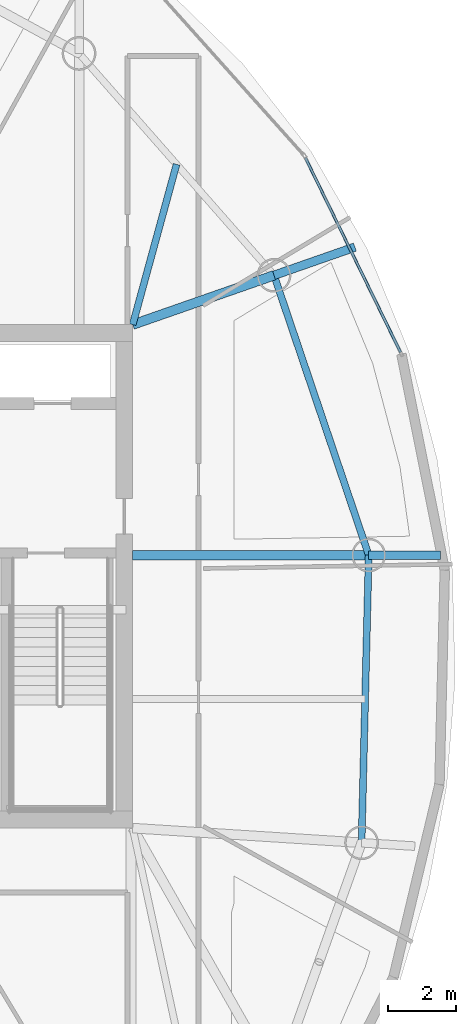
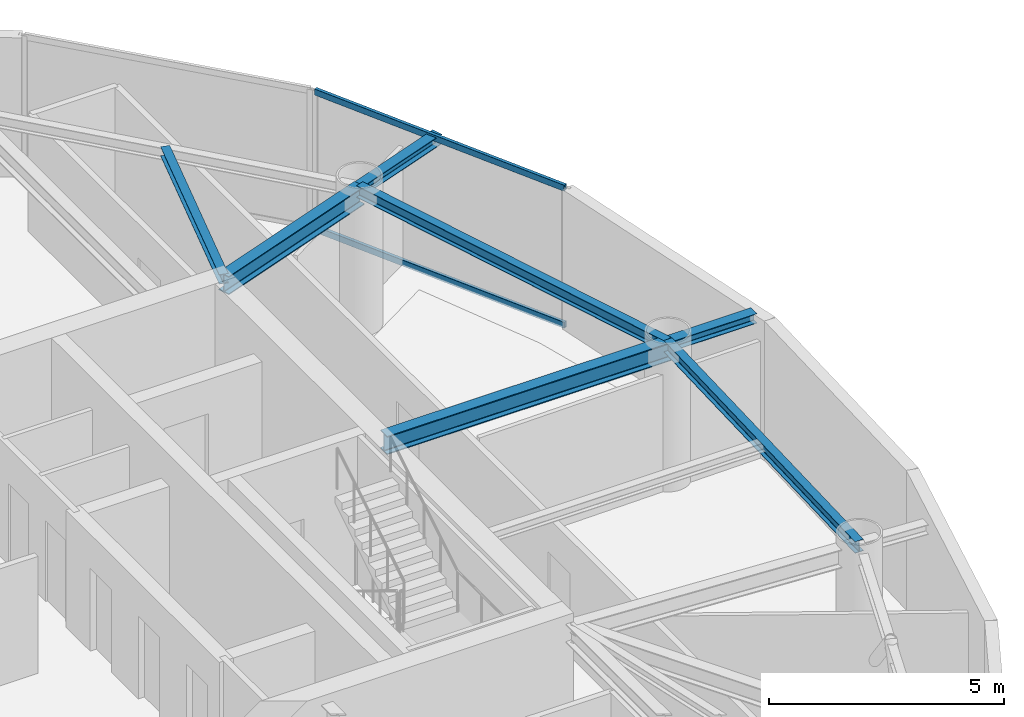
# One storey, part 9 of 21: 7 beams, 2 members, 1 element without a shape of its own.
"""IFC4 building model written with IfcOpenShell, lengths in metres."""

from ifc_helpers import new_model, si_unit, direction, frame, origin, origin_2d, place, context, subcontext, project, spatial, hollow_rectangle, i_section, extrude, material, layer, layer_set, material_profile, profile_set, type_object, element, aggregate, save


model = new_model("IFC4")

# Units and contexts
model_context = context("Model", 3, precision=1e-05, world=origin(), true_north=direction((0.0, 1.0)))
body_context = subcontext(model_context, "Body", "Model", "MODEL_VIEW")
ifc_project = project(units=[si_unit("LENGTHUNIT", "METRE"), si_unit("AREAUNIT", "SQUARE_METRE"), si_unit("VOLUMEUNIT", "CUBIC_METRE"), si_unit("PLANEANGLEUNIT", "RADIAN"), si_unit("MASSUNIT", "GRAM", prefix="KILO")], contexts=[model_context])

# Site, building, storey
site_placement = place(None, origin())
site = spatial("IfcSite", under=ifc_project, at=site_placement, CompositionType="ELEMENT")
building_placement = place(site_placement, origin())
building = spatial("IfcBuilding", under=site, at=building_placement, Name="Bramvorn Convention Spire", CompositionType="ELEMENT")
storey_placement = place(building_placement, frame((0.0, 0.0, 257.449951171875)))
storey = spatial("IfcBuildingStorey", under=building, at=storey_placement, Name="L65", CompositionType="ELEMENT", Elevation=257.449951171875)

# Beams
ifc_material_1 = material(Name="Steel CSA G40.21 Grade 350 (350W)", Category="steel")
ifc_material_profile_1 = material_profile(ifc_material_1, i_section(OverallWidth=0.201904296875, OverallDepth=0.2470703125, WebThickness=0.00732421875, FlangeThickness=0.010986328125, FilletRadius=0.011962890625, at=origin_2d()))
ifc_profile_set_1 = profile_set([ifc_material_profile_1], Name="Steel CSA G40.21 Grade 350 (350W) - W250X49")
beam_type_1 = type_object("IfcBeamType", Name="BM-W250X49", PredefinedType="JOIST", material=ifc_profile_set_1)
beam_1_placement = place(storey_placement, frame((49.25, 33.449951171875, 3.50146484375), z_axis=(0.26386506219, 0.96455960363, 0.0), x_axis=(-0.96455960363, 0.26386506219, 0.0)))
element("IfcBeam", 1, at=beam_1_placement, inside=storey, type_object=beam_type_1, Name="L65 composite floor joist 05", PredefinedType="JOIST", context=body_context, shape_type="SweptSolid", body=[
    extrude(i_section(OverallWidth=0.201904296875, OverallDepth=0.2470703125, WebThickness=0.00732421875, FlangeThickness=0.010986328125, FilletRadius=0.011962890625, at=origin_2d()), origin(), (0.0, 0.0, 1.0), 4.917724609375),
])
ifc_material_profile_2 = material_profile(ifc_material_1, i_section(OverallWidth=0.25390625, OverallDepth=0.2529296875, WebThickness=0.008544921875, FlangeThickness=0.01416015625, FilletRadius=0.011962890625, at=origin_2d()))
ifc_profile_set_2 = profile_set([ifc_material_profile_2], Name="Steel CSA G40.21 Grade 350 (350W) - W250X73")
beam_type_2 = type_object("IfcBeamType", Name="BM-W250X73", PredefinedType="BEAM", material=ifc_profile_set_2)
beam_2_placement = place(storey_placement, frame((56.234619140625, 26.62939453125, 3.49853515625), z_axis=(1.0, 0.0, 0.0), x_axis=(0.0, 1.0, 0.0)))
element("IfcBeam", 2, at=beam_2_placement, inside=storey, type_object=beam_type_2, Name="L65 slab-edge cantilever tip beam MC04", PredefinedType="BEAM", context=body_context, shape_type="SweptSolid", body=[
    extrude(i_section(OverallWidth=0.25390625, OverallDepth=0.2529296875, WebThickness=0.008544921875, FlangeThickness=0.01416015625, FilletRadius=0.011962890625, at=origin_2d()), origin(), (0.0, 0.0, 1.0), 2.11767578125),
])
beam_3_placement = place(storey_placement, frame((53.4326171875, 34.909912109375, 3.49853515625), z_axis=(0.944108879939, 0.329633770753, 0.0), x_axis=(-0.329633770753, 0.944108879939, 0.0)))
element("IfcBeam", 3, at=beam_3_placement, inside=storey, type_object=beam_type_2, Name="L65 slab-edge cantilever tip beam MC05", PredefinedType="BEAM", context=body_context, shape_type="SweptSolid", body=[
    extrude(i_section(OverallWidth=0.25390625, OverallDepth=0.2529296875, WebThickness=0.008544921875, FlangeThickness=0.01416015625, FilletRadius=0.011962890625, at=origin_2d()), origin(), (0.0, 0.0, 1.0), 2.534423828125),
])
ifc_material_profile_3 = material_profile(ifc_material_1, i_section(OverallWidth=0.202880859375, OverallDepth=0.302978515625, WebThickness=0.007568359375, FlangeThickness=0.01318359375, FilletRadius=0.013916015625, at=origin_2d()))
ifc_profile_set_3 = profile_set([ifc_material_profile_3], Name="Steel CSA G40.21 Grade 350 (350W) - W310X60")
beam_type_3 = type_object("IfcBeamType", Name="BM-W310X60", PredefinedType="JOIST", material=ifc_profile_set_3)
beam_4_placement = place(storey_placement, frame((56.023681640625, 18.116455078125, 3.4736328125), z_axis=(0.024770853371, 0.999693155335, 0.0), x_axis=(-0.999693155335, 0.024770853371, 0.0)))
element("IfcBeam", 4, at=beam_4_placement, inside=storey, type_object=beam_type_3, Name="L65 mega-column ring beam 03", PredefinedType="JOIST", context=body_context, shape_type="SweptSolid", body=[
    extrude(i_section(OverallWidth=0.202880859375, OverallDepth=0.302978515625, WebThickness=0.007568359375, FlangeThickness=0.01318359375, FilletRadius=0.013916015625, at=origin_2d()), origin(), (0.0, 0.0, 1.0), 8.515625),
])
beam_5_placement = place(storey_placement, frame((56.234619140625, 26.62939453125, 3.4736328125), z_axis=(-0.320531023763, 0.947238018032, 0.0), x_axis=(-0.947238018032, -0.320531023763, 0.0)))
element("IfcBeam", 5, at=beam_5_placement, inside=storey, type_object=beam_type_3, Name="L65 mega-column ring beam 04", PredefinedType="JOIST", context=body_context, shape_type="SweptSolid", body=[
    extrude(i_section(OverallWidth=0.202880859375, OverallDepth=0.302978515625, WebThickness=0.007568359375, FlangeThickness=0.01318359375, FilletRadius=0.013916015625, at=origin_2d()), origin(), (0.0, 0.0, 1.0), 8.74169921875),
])
ifc_material_profile_4 = material_profile(ifc_material_1, i_section(OverallWidth=0.283935546875, OverallDepth=0.47607421875, WebThickness=0.014892578125, FlangeThickness=0.02392578125, FilletRadius=0.01806640625, at=origin_2d()))
ifc_profile_set_4 = profile_set([ifc_material_profile_4], Name="Steel CSA G40.21 Grade 350 (350W) - W460X158")
beam_type_4 = type_object("IfcBeamType", Name="BM-W460X158", PredefinedType="SPANDREL", material=ifc_profile_set_4)
beam_6_placement = place(storey_placement, frame((49.25, 26.62939453125, 3.386962890625), z_axis=(1.0, 0.0, 0.0), x_axis=(0.0, 1.0, 0.0)))
element("IfcBeam", 6, at=beam_6_placement, inside=storey, type_object=beam_type_4, Name="L65 radial floor girder MC04", PredefinedType="SPANDREL", context=body_context, shape_type="SweptSolid", body=[
    extrude(i_section(OverallWidth=0.283935546875, OverallDepth=0.47607421875, WebThickness=0.014892578125, FlangeThickness=0.02392578125, FilletRadius=0.01806640625, at=origin_2d()), origin(), (0.0, 0.0, 1.0), 6.984619140625),
])
beam_7_placement = place(storey_placement, frame((49.25, 33.449951171875, 3.386962890625), z_axis=(0.944136391877, 0.329554962843, 0.0), x_axis=(-0.329554962843, 0.944136391877, 0.0)))
element("IfcBeam", 7, at=beam_7_placement, inside=storey, type_object=beam_type_4, Name="L65 radial floor girder MC05", PredefinedType="SPANDREL", context=body_context, shape_type="SweptSolid", body=[
    extrude(i_section(OverallWidth=0.283935546875, OverallDepth=0.47607421875, WebThickness=0.014892578125, FlangeThickness=0.02392578125, FilletRadius=0.01806640625, at=origin_2d()), origin(), (0.0, 0.0, 1.0), 4.43017578125),
])

# Curtain wall, members
ifc_material_2 = material(Name="Anodised Bronze Unitised Curtain Wall", Category="aluminium")
ifc_layer = layer(ifc_material_2, 0.179931640625)
ifc_layer_set = layer_set([ifc_layer], Name="Anodised Bronze Unitised Curtain Wall - CW-OFF-FRIT")
curtain_wall_type = type_object("IfcCurtainWallType", Name="CW-OFF-FRIT", PredefinedType="USERDEFINED", material=ifc_layer_set)
curtain_wall_placement = place(storey_placement, origin())
curtain_wall = element("IfcCurtainWall", 8, at=curtain_wall_placement, inside=storey, type_object=curtain_wall_type, Name="L65 fritted glass curtain wall 06", ObjectType="UNITISED CURTAIN WALL", PredefinedType="USERDEFINED")
ifc_material_3 = material(Name="Anodised Bronze Aluminium 6063-T6", Category="aluminium")
ifc_material_profile_5 = material_profile(ifc_material_3, hollow_rectangle(XDim=0.080078125, YDim=0.159912109375, WallThickness=0.00390625, InnerFilletRadius=0.0009765625, OuterFilletRadius=0.00390625, at=origin_2d()))
ifc_profile_set_5 = profile_set([ifc_material_profile_5], Name="Anodised Bronze Aluminium 6063-T6 - CWT80X160")
member_type = type_object("IfcMemberType", Name="CW-TRN-150", PredefinedType="USERDEFINED", material=ifc_profile_set_5)
member_1_placement = place(storey_placement, frame((54.360107421875, 38.389404296875, 0.030029296875), z_axis=(0.439454094159, -0.898265049485, 0.0), x_axis=(0.898265049485, 0.439454094159, 0.0)))
member_1 = element("IfcMember", 9, at=member_1_placement, type_object=member_type, Name="CW3 transom 1.1", ObjectType="TRANSOM", PredefinedType="USERDEFINED", context=body_context, shape_type="SweptSolid", body=[
    extrude(hollow_rectangle(XDim=0.080078125, YDim=0.159912109375, WallThickness=0.00390625, InnerFilletRadius=0.0009765625, OuterFilletRadius=0.00390625, at=origin_2d()), origin(), (0.0, 0.0, 1.0), 6.4072265625),
])
member_2_placement = place(storey_placement, frame((54.360107421875, 38.389404296875, 3.594970703125), z_axis=(0.439454094159, -0.898265049485, 0.0), x_axis=(0.898265049485, 0.439454094159, 0.0)))
member_2 = element("IfcMember", 10, at=member_2_placement, type_object=member_type, Name="CW3 transom 1.2", ObjectType="TRANSOM", PredefinedType="USERDEFINED", context=body_context, shape_type="SweptSolid", body=[
    extrude(hollow_rectangle(XDim=0.080078125, YDim=0.159912109375, WallThickness=0.00390625, InnerFilletRadius=0.0009765625, OuterFilletRadius=0.00390625, at=origin_2d()), origin(), (0.0, 0.0, 1.0), 6.4072265625),
])
aggregate(curtain_wall, [member_1, member_2])

save(model, "model.ifc")
